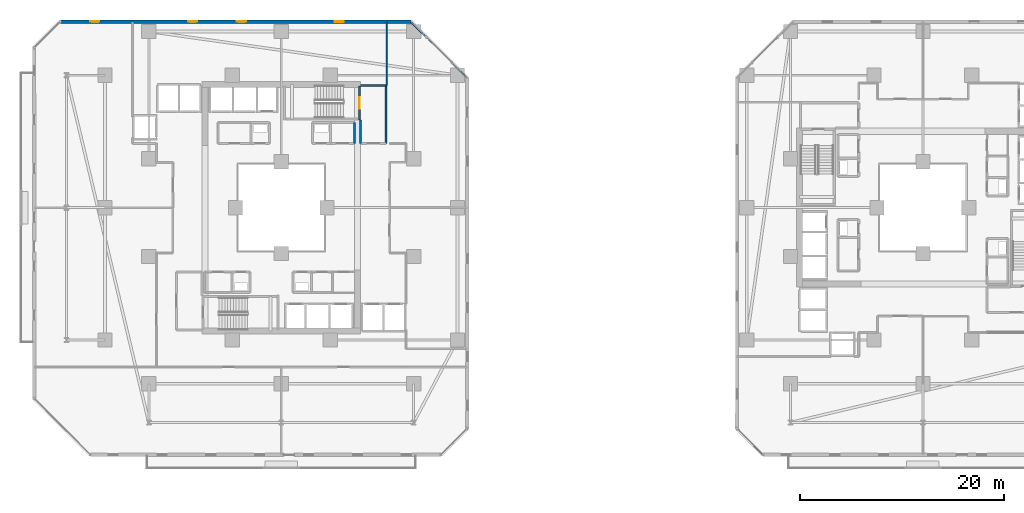
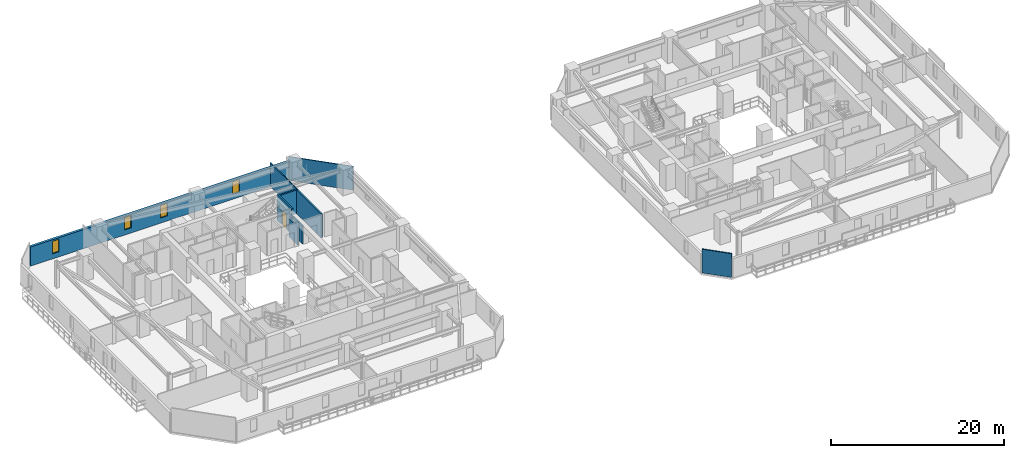
# One storey, part 21 of 33: 9 walls, 4 windows, 1 door, 5 openings.
"""IFC4 building model written with IfcOpenShell, lengths in metres."""

import ifcopenshell
import ifcopenshell.guid

model = None  # the IFC model being written
_history = None  # IfcOwnerHistory: only IFC2X3 demands one
_inside = {}  # id of a spatial element -> (the spatial element, [elements in it])
_under = {}  # id of a project, library or spatial element -> (it, [spatial elements below it])
_declared = {}  # id of a project -> (the project, [libraries it declares])
_typed = {}  # id of a type object -> (the type object, [elements of that type])
_made_of = {}  # id of a material, layer set ... -> (it, [elements and type objects made of it])


def new_model(schema):
    """Start an empty IFC model of exactly this schema.

    Asked for "IFC4X3", IfcOpenShell would pick the latest addendum, in which some entities
    have other attributes; the version numbers below select the first issue.
    IFC2X3 requires an IfcOwnerHistory on every rooted entity: one is made here for all.
    """
    global model, _history
    if schema == "IFC4X3":
        model = ifcopenshell.file(schema_version=(4, 3, 0, 0))
    else:
        model = ifcopenshell.file(schema=schema)
    _inside.clear()
    _under.clear()
    _declared.clear()
    _typed.clear()
    _made_of.clear()
    _history = None
    if model.schema == "IFC2X3":
        org = make("IfcOrganization", Name="unknown")
        user = make(
            "IfcPersonAndOrganization",
            ThePerson=make("IfcPerson", FamilyName="unknown"),
            TheOrganization=org,
        )
        app = make(
            "IfcApplication",
            ApplicationDeveloper=org,
            Version="unknown",
            ApplicationFullName="unknown",
            ApplicationIdentifier="unknown",
        )
        _history = make(
            "IfcOwnerHistory",
            OwningUser=user,
            OwningApplication=app,
            ChangeAction="ADDED",
            CreationDate=0,
        )
    return model


def make(cls, **values):
    """One entity of the class cls with the attributes given. An attribute that is None is left unset."""
    return model.create_entity(
        cls, **{name: value for name, value in values.items() if value is not None}
    )


def rooted(cls, **values):
    """An entity with a GlobalId (a new one), such as an element, a storey or a relation."""
    return make(cls, GlobalId=ifcopenshell.guid.new(), OwnerHistory=_history, **values)


def si_unit(unit_type, name, prefix=None):
    """IfcSIUnit, for example si_unit("LENGTHUNIT", "METRE", prefix="MILLI")."""
    return make("IfcSIUnit", UnitType=unit_type, Prefix=prefix, Name=name)


def assignment(units):
    """IfcUnitAssignment: the units of a project."""
    return None if units is None else make("IfcUnitAssignment", Units=units)


def point(xyz):
    """IfcCartesianPoint."""
    return None if xyz is None else make("IfcCartesianPoint", Coordinates=xyz)


def direction(xyz):
    """IfcDirection."""
    return None if xyz is None else make("IfcDirection", DirectionRatios=xyz)


def frame(location, z_axis=None, x_axis=None):
    """IfcAxis2Placement3D, a coordinate frame: its origin and axes. An axis left out is left unset."""
    return make(
        "IfcAxis2Placement3D",
        Location=point(location),
        Axis=direction(z_axis),
        RefDirection=direction(x_axis),
    )


def frame_2d(location, x_axis=None):
    """IfcAxis2Placement2D, a coordinate frame in the plane: its origin and x axis."""
    return make(
        "IfcAxis2Placement2D", Location=point(location), RefDirection=direction(x_axis)
    )


def origin():
    """The frame at (0, 0, 0) with its axes left unset."""
    return frame((0.0, 0.0, 0.0))


def place(relative_to, where):
    """IfcLocalPlacement: puts the frame where relative to a parent placement (None: the world)."""
    return make(
        "IfcLocalPlacement", PlacementRelTo=relative_to, RelativePlacement=where
    )


def context(
    kind, dimensions, precision=None, world=None, true_north=None, identifier=None
):
    """IfcGeometricRepresentationContext, for example the 3D "Model" context."""
    return make(
        "IfcGeometricRepresentationContext",
        ContextIdentifier=identifier,
        ContextType=kind,
        CoordinateSpaceDimension=dimensions,
        Precision=precision,
        WorldCoordinateSystem=world,
        TrueNorth=true_north,
    )


def subcontext(parent, identifier, kind, view, scale=None):
    """IfcGeometricRepresentationSubContext, for example "Body" below "Model"."""
    return make(
        "IfcGeometricRepresentationSubContext",
        ContextIdentifier=identifier,
        ContextType=kind,
        ParentContext=parent,
        TargetScale=scale,
        TargetView=view,
    )


def project(units=None, contexts=None):
    """IfcProject with its units and contexts."""
    return rooted(
        "IfcProject",
        Name="project",
        RepresentationContexts=contexts,
        UnitsInContext=assignment(units),
    )


def spatial(cls, under=None, at=None, **own):
    """A site, building, storey or space (cls), placed at a placement, below another one or the project."""
    s = rooted(cls, ObjectPlacement=at, **own)
    if under is not None:
        _under.setdefault(under.id(), (under, []))[1].append(s)
    return s


def profile(cls, at=None, kind="AREA", **sizes):
    """A parametric profile (cls). Its sizes go by their IFC names, for example OverallWidth=200.0."""
    return make(cls, ProfileType=kind, Position=at, **sizes)


def rectangle(**sizes):
    """IfcRectangleProfileDef."""
    return profile("IfcRectangleProfileDef", **sizes)


def extrude(swept, where, along, depth):
    """IfcExtrudedAreaSolid: the profile swept, set in the frame where, extruded along a direction by depth."""
    return make(
        "IfcExtrudedAreaSolid",
        SweptArea=swept,
        Position=where,
        ExtrudedDirection=direction(along),
        Depth=depth,
    )


def shape(context_of_items, identifier, shape_type, items):
    """IfcShapeRepresentation: the items that make up one representation, for example the "Body"."""
    return make(
        "IfcShapeRepresentation",
        ContextOfItems=context_of_items,
        RepresentationIdentifier=identifier,
        RepresentationType=shape_type,
        Items=items,
    )


def material(Name=None, Category=None):
    """IfcMaterial."""
    return make("IfcMaterial", Name=Name, Category=Category)


def layer(
    of_material, thickness, ventilated=None, Name=None, Category=None, Priority=None
):
    """IfcMaterialLayer: one layer of a wall or slab, of a material (None: an air gap)."""
    return make(
        "IfcMaterialLayer",
        Material=of_material,
        LayerThickness=thickness,
        IsVentilated=ventilated,
        Name=Name,
        Category=Category,
        Priority=Priority,
    )


def layer_set(layers, Name=None):
    """IfcMaterialLayerSet."""
    return make("IfcMaterialLayerSet", MaterialLayers=layers, LayerSetName=Name)


def made_of(thing, what):
    """Note that an element or type object is made of a material, layer set ...; save() writes the relation."""
    if what is not None:
        _made_of.setdefault(what.id(), (what, []))[1].append(thing)
    return thing


def type_object(cls, material=None, **own):
    """A type object (cls), such as IfcWallType, which elements share."""
    return made_of(rooted(cls, **own), material)


def element(
    cls,
    number,
    at=None,
    inside=None,
    cuts=None,
    type_object=None,
    material=None,
    context=None,
    identifier="Body",
    shape_type=None,
    held_by="IfcProductDefinitionShape",
    body=None,
    shapes=None,
    **own,
):
    """One element of the class cls, such as IfcWall. Its Tag is "e" and its number.

    at: its placement. inside: the storey or other place that contains it. cuts: it is an
    opening in that element (IfcRelVoidsElement). A single representation is given by context,
    identifier, shape_type and body (its items); several are given by shapes. held_by: the class
    of the entity that holds the representations. save() writes the other relations.
    """
    e = rooted(cls, Tag="e%d" % number, ObjectPlacement=at, **own)
    if body is not None:
        shapes = [shape(context, identifier, shape_type, body)]
    if shapes is not None:
        e.Representation = make(held_by, Representations=shapes)
    if inside is not None:
        _inside.setdefault(inside.id(), (inside, []))[1].append(e)
    if cuts is not None:
        rooted(
            "IfcRelVoidsElement", RelatingBuildingElement=cuts, RelatedOpeningElement=e
        )
    if type_object is not None:
        _typed.setdefault(type_object.id(), (type_object, []))[1].append(e)
    return made_of(e, material)


def fill(opening, filler):
    """IfcRelFillsElement: the door or window that sits in an opening."""
    return rooted(
        "IfcRelFillsElement",
        RelatingOpeningElement=opening,
        RelatedBuildingElement=filler,
    )


def aggregate(whole, parts):
    """IfcRelAggregates: a whole, such as a stair, and the parts it consists of."""
    return rooted("IfcRelAggregates", RelatingObject=whole, RelatedObjects=parts)


def save(model, path):
    """Write the relations noted so far, then the file.

    IfcRelAggregates (storeys below a building ...), IfcRelContainedInSpatialStructure (elements
    in a storey), IfcRelDefinesByType, IfcRelAssociatesMaterial and IfcRelDeclares: one each for
    every whole, place, type object, material and project.
    """
    for whole, parts in _under.values():
        aggregate(whole, parts)
    for where, things in _inside.values():
        rooted(
            "IfcRelContainedInSpatialStructure",
            RelatedElements=things,
            RelatingStructure=where,
        )
    for kind, things in _typed.values():
        rooted("IfcRelDefinesByType", RelatedObjects=things, RelatingType=kind)
    for what, things in _made_of.values():
        rooted("IfcRelAssociatesMaterial", RelatedObjects=things, RelatingMaterial=what)
    for by, libraries in _declared.values():
        rooted("IfcRelDeclares", RelatingContext=by, RelatedDefinitions=libraries)
    model.write(path)


model = new_model("IFC4")

# Units and contexts
model_context = context("Model", 3, precision=1e-05, world=origin(), true_north=direction((0.0, 1.0)))
body_context = subcontext(model_context, "Body", "Model", "MODEL_VIEW")
ifc_project = project(units=[si_unit("LENGTHUNIT", "METRE"), si_unit("AREAUNIT", "SQUARE_METRE"), si_unit("VOLUMEUNIT", "CUBIC_METRE"), si_unit("PLANEANGLEUNIT", "RADIAN"), si_unit("MASSUNIT", "GRAM", prefix="KILO")], contexts=[model_context])

# Site, building, storey
site_placement = place(None, origin())
site = spatial("IfcSite", under=ifc_project, at=site_placement, CompositionType="ELEMENT")
building_placement = place(site_placement, origin())
building = spatial("IfcBuilding", under=site, at=building_placement, Name="Thornwick Lancets Civic Towers", CompositionType="ELEMENT")
storey_placement = place(building_placement, frame((0.0, 0.0, 35.10009765625)))
storey = spatial("IfcBuildingStorey", under=building, at=storey_placement, Name="L08", CompositionType="ELEMENT", Elevation=35.10009765625)

# Walls
ifc_material_1 = material(Name="Concrete blockwork C40/50", Category="masonry")
ifc_layer_1 = layer(ifc_material_1, 0.199951171875, Name="Concrete blockwork C40/50")
ifc_layer_set_1 = layer_set([ifc_layer_1], Name="Concrete blockwork C40/50")
wall_type_1 = type_object("IfcWallType", Name="WALL_COMP_200", PredefinedType="STANDARD", material=ifc_layer_set_1)
wall_1_placement = place(storey_placement, frame((35.800048828125, 33.300048828125, 0.0), z_axis=(0.0, 0.0, 1.0), x_axis=(0.0, 1.0, 0.0)))
element("IfcWall", 1, at=wall_1_placement, inside=storey, type_object=wall_type_1, Name="L08 Partition L08-A-FFLOB2 E2", PredefinedType="STANDARD", context=body_context, shape_type="SweptSolid", body=[
    extrude(rectangle(XDim=5.699951171875, YDim=0.199951171875, at=frame_2d((2.85009765625, 0.0))), origin(), (0.0, 0.0, 1.0), 3.33984375),
])
wall_2_placement = place(storey_placement, frame((35.800048828125, 39.0, 0.0), z_axis=(0.0, 0.0, 1.0), x_axis=(-1.0, 0.0, 0.0)))
element("IfcWall", 2, at=wall_2_placement, inside=storey, type_object=wall_type_1, Name="L08 Partition L08-A-FFLOB2 E3", PredefinedType="STANDARD", context=body_context, shape_type="SweptSolid", body=[
    extrude(rectangle(XDim=2.5, YDim=0.199951171875, at=frame_2d((1.25, 0.0))), origin(), (0.0, 0.0, 1.0), 3.33984375),
])
wall_3_placement = place(storey_placement, frame((33.300048828125, 35.60009765625, 0.0), z_axis=(0.0, 0.0, 1.0), x_axis=(0.0, -1.0, 0.0)))
element("IfcWall", 3, at=wall_3_placement, inside=storey, type_object=wall_type_1, Name="L08 Partition L08-A-FFLOB2 E4", PredefinedType="STANDARD", context=body_context, shape_type="SweptSolid", body=[
    extrude(rectangle(XDim=2.300048828125, YDim=0.199951171875, at=frame_2d((1.14990234375, 0.0))), origin(), (0.0, 0.0, 1.0), 2.544921875),
])
wall_4_placement = place(storey_placement, frame((32.699951171875, 35.35009765625, 0.0), z_axis=(0.0, 0.0, 1.0), x_axis=(0.0, -1.0, 0.0)))
element("IfcWall", 4, at=wall_4_placement, inside=storey, type_object=wall_type_1, Name="L08 Partition L08-A-STR E1", PredefinedType="STANDARD", context=body_context, shape_type="SweptSolid", body=[
    extrude(rectangle(XDim=2.050048828125, YDim=0.199951171875, at=frame_2d((1.02490234375, 0.0))), origin(), (0.0, 0.0, 1.0), 2.544921875),
])

# Wall, openings, windows
ifc_material_2 = material(Name="Insulated buff terracotta rainscreen on concrete C40/50", Category="masonry")
ifc_layer_2 = layer(ifc_material_2, 0.320068359375, Name="Insulated buff terracotta rainscreen on concrete C40/50")
ifc_layer_set_2 = layer_set([ifc_layer_2], Name="Insulated buff terracotta rainscreen on concrete C40/50")
wall_type_2 = type_object("IfcWallType", Name="WALL_EXT_TERRA_320", PredefinedType="STANDARD", material=ifc_layer_set_2)
wall_5_placement = place(storey_placement, frame((38.247802734375, 45.25537109375, 0.0), z_axis=(0.0, 0.0, 1.0), x_axis=(-0.999999961759, 0.000276554545, 0.0)))
wall_5 = element("IfcWall", 5, at=wall_5_placement, inside=storey, type_object=wall_type_2, Name="L08 Tower A Terracotta Facade Wall E4", PredefinedType="STANDARD", context=body_context, shape_type="SweptSolid", body=[
    extrude(rectangle(XDim=34.428955078125, YDim=0.320068359375, at=frame_2d((17.21435546875, 0.0))), origin(), (0.0, 0.0, 1.0), 2.699951171875),
])
opening_1_placement = place(wall_5_placement, frame((6.60009765625, 0.0, 0.719970703125)))
opening_1 = element("IfcOpeningElement", 6, at=opening_1_placement, cuts=wall_5, Name="Opening WL-01", PredefinedType="OPENING", context=body_context, shape_type="SweptSolid", body=[
    extrude(rectangle(XDim=0.89990234375, YDim=1.75, at=frame_2d((0.449951171875, 0.875))), frame((0.0, 0.169921875, 0.0), z_axis=(0.0, -1.0, 0.0), x_axis=(1.0, 0.0, 0.0)), (0.0, 0.0, 1.0), 0.340087890625),
])
opening_2_placement = place(wall_5_placement, frame((16.199951171875, 0.0, 0.719970703125)))
opening_2 = element("IfcOpeningElement", 7, at=opening_2_placement, cuts=wall_5, Name="Opening WL-01", PredefinedType="OPENING", context=body_context, shape_type="SweptSolid", body=[
    extrude(rectangle(XDim=0.89990234375, YDim=1.75, at=frame_2d((0.449951171875, 0.875))), frame((0.0, 0.169921875, 0.0), z_axis=(0.0, -1.0, 0.0), x_axis=(1.0, 0.0, 0.0)), (0.0, 0.0, 1.0), 0.340087890625),
])
opening_3_placement = place(wall_5_placement, frame((21.0, 0.0, 0.719970703125)))
opening_3 = element("IfcOpeningElement", 8, at=opening_3_placement, cuts=wall_5, Name="Opening WL-01", PredefinedType="OPENING", context=body_context, shape_type="SweptSolid", body=[
    extrude(rectangle(XDim=0.89990234375, YDim=1.75, at=frame_2d((0.449951171875, 0.875))), frame((0.0, 0.169921875, 0.0), z_axis=(0.0, -1.0, 0.0), x_axis=(1.0, 0.0, 0.0)), (0.0, 0.0, 1.0), 0.340087890625),
])
opening_4_placement = place(wall_5_placement, frame((30.60009765625, 0.0, 0.719970703125)))
opening_4 = element("IfcOpeningElement", 9, at=opening_4_placement, cuts=wall_5, Name="Opening WL-01", PredefinedType="OPENING", context=body_context, shape_type="SweptSolid", body=[
    extrude(rectangle(XDim=0.89990234375, YDim=1.75, at=frame_2d((0.449951171875, 0.875))), frame((0.0, 0.169921875, 0.0), z_axis=(0.0, -1.0, 0.0), x_axis=(1.0, 0.0, 0.0)), (0.0, 0.0, 1.0), 0.340087890625),
])
ifc_material_3 = material(Name="Clear low-e double glazing in bronze frame", Category="glass")
window_type = type_object("IfcWindowType", Name="WIN_LANCET_900", PartitioningType="SINGLE_PANEL", PredefinedType="WINDOW", material=ifc_material_3)
window_1_placement = place(opening_1_placement, origin())
window_1 = element("IfcWindow", 10, at=window_1_placement, inside=storey, type_object=window_type, Name="L08 Tower A Staggered Lancet Window E4-1", OverallHeight=1.75, OverallWidth=0.89990234375, PartitioningType="SINGLE_PANEL", PredefinedType="WINDOW", context=body_context, shape_type="SweptSolid", body=[
    extrude(rectangle(XDim=0.89990234375, YDim=1.75, at=frame_2d((0.449951171875, 0.875))), frame((0.0, 0.030029296875, 0.0), z_axis=(0.0, -1.0, 0.0), x_axis=(1.0, 0.0, 0.0)), (0.0, 0.0, 1.0), 0.06005859375),
])
fill(opening_1, window_1)
window_2_placement = place(opening_2_placement, origin())
window_2 = element("IfcWindow", 11, at=window_2_placement, inside=storey, type_object=window_type, Name="L08 Tower A Staggered Lancet Window E4-2", OverallHeight=1.75, OverallWidth=0.89990234375, PartitioningType="SINGLE_PANEL", PredefinedType="WINDOW", context=body_context, shape_type="SweptSolid", body=[
    extrude(rectangle(XDim=0.89990234375, YDim=1.75, at=frame_2d((0.449951171875, 0.875))), frame((0.0, 0.030029296875, 0.0), z_axis=(0.0, -1.0, 0.0), x_axis=(1.0, 0.0, 0.0)), (0.0, 0.0, 1.0), 0.06005859375),
])
fill(opening_2, window_2)
window_3_placement = place(opening_3_placement, origin())
window_3 = element("IfcWindow", 12, at=window_3_placement, inside=storey, type_object=window_type, Name="L08 Tower A Staggered Lancet Window E4-3", OverallHeight=1.75, OverallWidth=0.89990234375, PartitioningType="SINGLE_PANEL", PredefinedType="WINDOW", context=body_context, shape_type="SweptSolid", body=[
    extrude(rectangle(XDim=0.89990234375, YDim=1.75, at=frame_2d((0.449951171875, 0.875))), frame((0.0, 0.030029296875, 0.0), z_axis=(0.0, -1.0, 0.0), x_axis=(1.0, 0.0, 0.0)), (0.0, 0.0, 1.0), 0.06005859375),
])
fill(opening_3, window_3)
window_4_placement = place(opening_4_placement, origin())
window_4 = element("IfcWindow", 13, at=window_4_placement, inside=storey, type_object=window_type, Name="L08 Tower A Staggered Lancet Window E4-4", OverallHeight=1.75, OverallWidth=0.89990234375, PartitioningType="SINGLE_PANEL", PredefinedType="WINDOW", context=body_context, shape_type="SweptSolid", body=[
    extrude(rectangle(XDim=0.89990234375, YDim=1.75, at=frame_2d((0.449951171875, 0.875))), frame((0.0, 0.030029296875, 0.0), z_axis=(0.0, -1.0, 0.0), x_axis=(1.0, 0.0, 0.0)), (0.0, 0.0, 1.0), 0.06005859375),
])
fill(opening_4, window_4)

# Walls
ifc_material_4 = material(Name="Acoustic gypsum board partition")
ifc_layer_3 = layer(ifc_material_4, 0.1201171875, Name="Acoustic gypsum board partition")
ifc_layer_set_3 = layer_set([ifc_layer_3], Name="Acoustic gypsum board partition")
wall_type_3 = type_object("IfcWallType", Name="WALL_PART_120", PredefinedType="PARTITIONING", material=ifc_layer_set_3)
wall_6_placement = place(storey_placement, frame((35.85009765625, 39.0, 0.0), z_axis=(0.0, 0.0, 1.0), x_axis=(0.0, 1.0, 0.0)))
element("IfcWall", 14, at=wall_6_placement, inside=storey, type_object=wall_type_3, Name="L08 Partition L08-A-E2 E5", PredefinedType="PARTITIONING", context=body_context, shape_type="SweptSolid", body=[
    extrude(rectangle(XDim=6.219970703125, YDim=0.1201171875, at=frame_2d((3.10986328125, 0.0))), origin(), (0.0, 0.0, 1.0), 3.33984375),
])
wall_7_placement = place(storey_placement, frame((38.280517578125, 45.219970703125, 0.0), z_axis=(0.0, 0.0, 1.0), x_axis=(0.707106781187, -0.707106781187, 0.0)))
element("IfcWall", 15, at=wall_7_placement, inside=storey, type_object=wall_type_3, Name="L08 Partition L08-A-E2 E7", PredefinedType="PARTITIONING", context=body_context, shape_type="SweptSolid", body=[
    extrude(rectangle(XDim=7.692626953125, YDim=0.1201171875, at=frame_2d((3.84619140625, 0.0))), origin(), (0.0, 0.0, 1.0), 3.33984375),
])
ifc_material_5 = material(Name="Twin-stud acoustic gypsum board")
ifc_layer_4 = layer(ifc_material_5, 0.14990234375, Name="Twin-stud acoustic gypsum board")
ifc_layer_set_4 = layer_set([ifc_layer_4], Name="Twin-stud acoustic gypsum board")
wall_type_4 = type_object("IfcWallType", Name="WALL_PART_150", PredefinedType="PARTITIONING", material=ifc_layer_set_4)
wall_8_placement = place(storey_placement, frame((72.774658203125, 2.780029296875, 0.0), z_axis=(0.0, 0.0, 1.0), x_axis=(-0.707106781187, 0.707106781187, 0.0)))
element("IfcWall", 16, at=wall_8_placement, inside=storey, type_object=wall_type_4, Name="L08 Partition L08-B-W2 E7", PredefinedType="PARTITIONING", context=body_context, shape_type="SweptSolid", body=[
    extrude(rectangle(XDim=3.52783203125, YDim=0.14990234375, at=frame_2d((1.763916015625, 0.0))), origin(), (0.0, 0.0, 1.0), 3.33984375),
])

# Wall, opening, door
ifc_material_6 = material(Name="Concrete C40/50", Category="concrete")
ifc_layer_5 = layer(ifc_material_6, 0.199951171875, Name="Concrete C40/50")
ifc_layer_set_5 = layer_set([ifc_layer_5], Name="Concrete C40/50")
wall_type_5 = type_object("IfcWallType", Name="WALL_SHAFT_200", PredefinedType="SHEAR", material=ifc_layer_set_5)
wall_9_placement = place(storey_placement, frame((33.199951171875, 38.949951171875, 0.0), z_axis=(0.0, 0.0, 1.0), x_axis=(0.0, -1.0, 0.0)))
wall_9 = element("IfcWall", 17, at=wall_9_placement, inside=storey, type_object=wall_type_5, Name="L08 ST-A2 Fire Stair Core Wall NEAR", PredefinedType="SHEAR", context=body_context, shape_type="SweptSolid", body=[
    extrude(rectangle(XDim=3.349853515625, YDim=0.199951171875, at=frame_2d((1.6748046875, 0.0))), origin(), (0.0, 0.0, 1.0), 3.599853515625),
])
opening_5_placement = place(wall_9_placement, frame((1.125, 0.0, 0.0)))
opening_5 = element("IfcOpeningElement", 18, at=opening_5_placement, cuts=wall_9, Name="Opening D-ST-A2-L08", PredefinedType="OPENING", context=body_context, shape_type="SweptSolid", body=[
    extrude(rectangle(XDim=1.10009765625, YDim=2.10009765625, at=frame_2d((0.550048828125, 1.050048828125))), frame((0.0, 0.10986328125, 0.0), z_axis=(0.0, -1.0, 0.0), x_axis=(1.0, 0.0, 0.0)), (0.0, 0.0, 1.0), 0.219970703125),
])
ifc_material_7 = material(Name="Fire-resisting steel and hardwood", Category="steel")
door_type = type_object("IfcDoorType", Name="DOOR_STAIR_FD60", OperationType="NOTDEFINED", PredefinedType="DOOR", material=ifc_material_7)
door_placement = place(opening_5_placement, origin())
door = element("IfcDoor", 19, at=door_placement, inside=storey, type_object=door_type, Name="L08 ST-A2 Exit Stair Door", OperationType="SINGLE_SWING_LEFT", OverallHeight=2.10009765625, OverallWidth=1.10009765625, PredefinedType="DOOR", context=body_context, shape_type="SweptSolid", body=[
    extrude(rectangle(XDim=1.10009765625, YDim=2.10009765625, at=frame_2d((0.550048828125, 1.050048828125))), frame((0.0, 0.02490234375, 0.0), z_axis=(0.0, -1.0, 0.0), x_axis=(1.0, 0.0, 0.0)), (0.0, 0.0, 1.0), 0.050048828125),
])
fill(opening_5, door)

save(model, "model.ifc")
